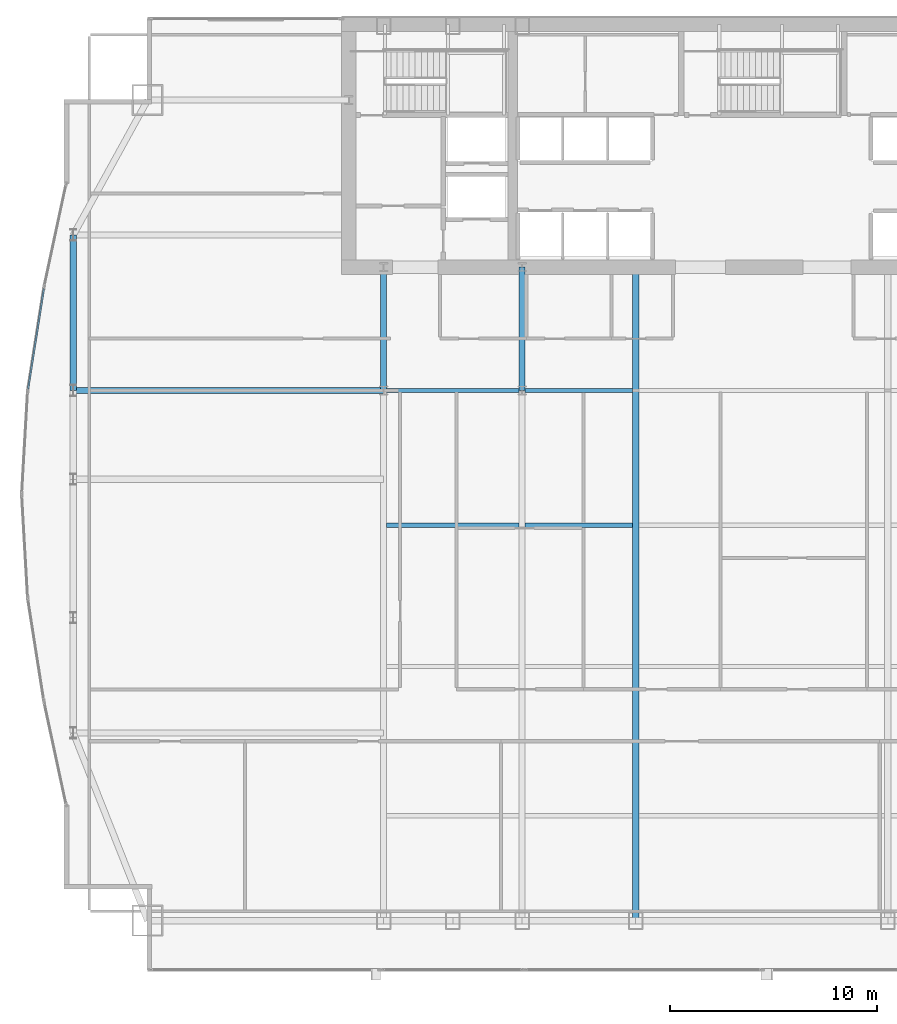
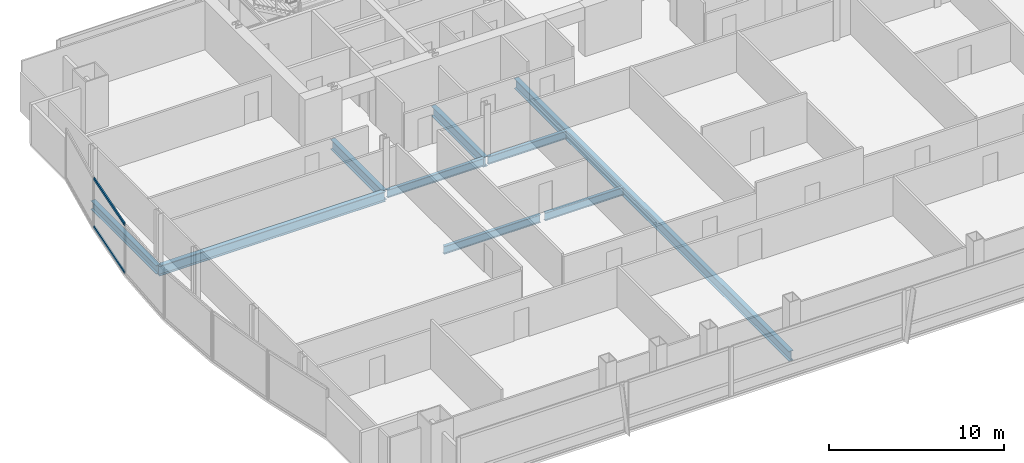
# One storey, part 12 of 32: 9 beams, 2 members, 1 element without a shape of its own.
"""IFC4 building model written with IfcOpenShell, lengths in metres."""

import ifcopenshell
import ifcopenshell.guid

model = None  # the IFC model being written
_history = None  # IfcOwnerHistory: only IFC2X3 demands one
_inside = {}  # id of a spatial element -> (the spatial element, [elements in it])
_under = {}  # id of a project, library or spatial element -> (it, [spatial elements below it])
_declared = {}  # id of a project -> (the project, [libraries it declares])
_typed = {}  # id of a type object -> (the type object, [elements of that type])
_made_of = {}  # id of a material, layer set ... -> (it, [elements and type objects made of it])


def new_model(schema):
    """Start an empty IFC model of exactly this schema.

    Asked for "IFC4X3", IfcOpenShell would pick the latest addendum, in which some entities
    have other attributes; the version numbers below select the first issue.
    IFC2X3 requires an IfcOwnerHistory on every rooted entity: one is made here for all.
    """
    global model, _history
    if schema == "IFC4X3":
        model = ifcopenshell.file(schema_version=(4, 3, 0, 0))
    else:
        model = ifcopenshell.file(schema=schema)
    _inside.clear()
    _under.clear()
    _declared.clear()
    _typed.clear()
    _made_of.clear()
    _history = None
    if model.schema == "IFC2X3":
        org = make("IfcOrganization", Name="unknown")
        user = make(
            "IfcPersonAndOrganization",
            ThePerson=make("IfcPerson", FamilyName="unknown"),
            TheOrganization=org,
        )
        app = make(
            "IfcApplication",
            ApplicationDeveloper=org,
            Version="unknown",
            ApplicationFullName="unknown",
            ApplicationIdentifier="unknown",
        )
        _history = make(
            "IfcOwnerHistory",
            OwningUser=user,
            OwningApplication=app,
            ChangeAction="ADDED",
            CreationDate=0,
        )
    return model


def make(cls, **values):
    """One entity of the class cls with the attributes given. An attribute that is None is left unset."""
    return model.create_entity(
        cls, **{name: value for name, value in values.items() if value is not None}
    )


def rooted(cls, **values):
    """An entity with a GlobalId (a new one), such as an element, a storey or a relation."""
    return make(cls, GlobalId=ifcopenshell.guid.new(), OwnerHistory=_history, **values)


def si_unit(unit_type, name, prefix=None):
    """IfcSIUnit, for example si_unit("LENGTHUNIT", "METRE", prefix="MILLI")."""
    return make("IfcSIUnit", UnitType=unit_type, Prefix=prefix, Name=name)


def assignment(units):
    """IfcUnitAssignment: the units of a project."""
    return None if units is None else make("IfcUnitAssignment", Units=units)


def point(xyz):
    """IfcCartesianPoint."""
    return None if xyz is None else make("IfcCartesianPoint", Coordinates=xyz)


def direction(xyz):
    """IfcDirection."""
    return None if xyz is None else make("IfcDirection", DirectionRatios=xyz)


def frame(location, z_axis=None, x_axis=None):
    """IfcAxis2Placement3D, a coordinate frame: its origin and axes. An axis left out is left unset."""
    return make(
        "IfcAxis2Placement3D",
        Location=point(location),
        Axis=direction(z_axis),
        RefDirection=direction(x_axis),
    )


def frame_2d(location, x_axis=None):
    """IfcAxis2Placement2D, a coordinate frame in the plane: its origin and x axis."""
    return make(
        "IfcAxis2Placement2D", Location=point(location), RefDirection=direction(x_axis)
    )


def origin():
    """The frame at (0, 0, 0) with its axes left unset."""
    return frame((0.0, 0.0, 0.0))


def origin_2d():
    """The frame at (0, 0) in the plane with its x axis left unset."""
    return frame_2d((0.0, 0.0))


def place(relative_to, where):
    """IfcLocalPlacement: puts the frame where relative to a parent placement (None: the world)."""
    return make(
        "IfcLocalPlacement", PlacementRelTo=relative_to, RelativePlacement=where
    )


def context(
    kind, dimensions, precision=None, world=None, true_north=None, identifier=None
):
    """IfcGeometricRepresentationContext, for example the 3D "Model" context."""
    return make(
        "IfcGeometricRepresentationContext",
        ContextIdentifier=identifier,
        ContextType=kind,
        CoordinateSpaceDimension=dimensions,
        Precision=precision,
        WorldCoordinateSystem=world,
        TrueNorth=true_north,
    )


def subcontext(parent, identifier, kind, view, scale=None):
    """IfcGeometricRepresentationSubContext, for example "Body" below "Model"."""
    return make(
        "IfcGeometricRepresentationSubContext",
        ContextIdentifier=identifier,
        ContextType=kind,
        ParentContext=parent,
        TargetScale=scale,
        TargetView=view,
    )


def project(units=None, contexts=None):
    """IfcProject with its units and contexts."""
    return rooted(
        "IfcProject",
        Name="project",
        RepresentationContexts=contexts,
        UnitsInContext=assignment(units),
    )


def spatial(cls, under=None, at=None, **own):
    """A site, building, storey or space (cls), placed at a placement, below another one or the project."""
    s = rooted(cls, ObjectPlacement=at, **own)
    if under is not None:
        _under.setdefault(under.id(), (under, []))[1].append(s)
    return s


def profile(cls, at=None, kind="AREA", **sizes):
    """A parametric profile (cls). Its sizes go by their IFC names, for example OverallWidth=200.0."""
    return make(cls, ProfileType=kind, Position=at, **sizes)


def hollow_rectangle(**sizes):
    """IfcRectangleHollowProfileDef."""
    return profile("IfcRectangleHollowProfileDef", **sizes)


def i_section(**sizes):
    """IfcIShapeProfileDef."""
    return profile("IfcIShapeProfileDef", **sizes)


def extrude(swept, where, along, depth):
    """IfcExtrudedAreaSolid: the profile swept, set in the frame where, extruded along a direction by depth."""
    return make(
        "IfcExtrudedAreaSolid",
        SweptArea=swept,
        Position=where,
        ExtrudedDirection=direction(along),
        Depth=depth,
    )


def shape(context_of_items, identifier, shape_type, items):
    """IfcShapeRepresentation: the items that make up one representation, for example the "Body"."""
    return make(
        "IfcShapeRepresentation",
        ContextOfItems=context_of_items,
        RepresentationIdentifier=identifier,
        RepresentationType=shape_type,
        Items=items,
    )


def material(Name=None, Category=None):
    """IfcMaterial."""
    return make("IfcMaterial", Name=Name, Category=Category)


def material_profile(
    of_material, cross_section, Name=None, Category=None, Priority=None
):
    """IfcMaterialProfile: a cross section and its material."""
    return make(
        "IfcMaterialProfile",
        Name=Name,
        Material=of_material,
        Profile=cross_section,
        Priority=Priority,
        Category=Category,
    )


def profile_set(profiles, Name=None, composite=None):
    """IfcMaterialProfileSet."""
    return make(
        "IfcMaterialProfileSet",
        Name=Name,
        MaterialProfiles=profiles,
        CompositeProfile=composite,
    )


def made_of(thing, what):
    """Note that an element or type object is made of a material, layer set ...; save() writes the relation."""
    if what is not None:
        _made_of.setdefault(what.id(), (what, []))[1].append(thing)
    return thing


def type_object(cls, material=None, **own):
    """A type object (cls), such as IfcWallType, which elements share."""
    return made_of(rooted(cls, **own), material)


def element(
    cls,
    number,
    at=None,
    inside=None,
    cuts=None,
    type_object=None,
    material=None,
    context=None,
    identifier="Body",
    shape_type=None,
    held_by="IfcProductDefinitionShape",
    body=None,
    shapes=None,
    **own,
):
    """One element of the class cls, such as IfcWall. Its Tag is "e" and its number.

    at: its placement. inside: the storey or other place that contains it. cuts: it is an
    opening in that element (IfcRelVoidsElement). A single representation is given by context,
    identifier, shape_type and body (its items); several are given by shapes. held_by: the class
    of the entity that holds the representations. save() writes the other relations.
    """
    e = rooted(cls, Tag="e%d" % number, ObjectPlacement=at, **own)
    if body is not None:
        shapes = [shape(context, identifier, shape_type, body)]
    if shapes is not None:
        e.Representation = make(held_by, Representations=shapes)
    if inside is not None:
        _inside.setdefault(inside.id(), (inside, []))[1].append(e)
    if cuts is not None:
        rooted(
            "IfcRelVoidsElement", RelatingBuildingElement=cuts, RelatedOpeningElement=e
        )
    if type_object is not None:
        _typed.setdefault(type_object.id(), (type_object, []))[1].append(e)
    return made_of(e, material)


def aggregate(whole, parts):
    """IfcRelAggregates: a whole, such as a stair, and the parts it consists of."""
    return rooted("IfcRelAggregates", RelatingObject=whole, RelatedObjects=parts)


def save(model, path):
    """Write the relations noted so far, then the file.

    IfcRelAggregates (storeys below a building ...), IfcRelContainedInSpatialStructure (elements
    in a storey), IfcRelDefinesByType, IfcRelAssociatesMaterial and IfcRelDeclares: one each for
    every whole, place, type object, material and project.
    """
    for whole, parts in _under.values():
        aggregate(whole, parts)
    for where, things in _inside.values():
        rooted(
            "IfcRelContainedInSpatialStructure",
            RelatedElements=things,
            RelatingStructure=where,
        )
    for kind, things in _typed.values():
        rooted("IfcRelDefinesByType", RelatedObjects=things, RelatingType=kind)
    for what, things in _made_of.values():
        rooted("IfcRelAssociatesMaterial", RelatedObjects=things, RelatingMaterial=what)
    for by, libraries in _declared.values():
        rooted("IfcRelDeclares", RelatingContext=by, RelatedDefinitions=libraries)
    model.write(path)


model = new_model("IFC4")

# Units and contexts
model_context = context("Model", 3, precision=1e-05, world=origin(), true_north=direction((0.0, 1.0)))
body_context = subcontext(model_context, "Body", "Model", "MODEL_VIEW")
ifc_project = project(units=[si_unit("LENGTHUNIT", "METRE"), si_unit("AREAUNIT", "SQUARE_METRE"), si_unit("VOLUMEUNIT", "CUBIC_METRE"), si_unit("PLANEANGLEUNIT", "RADIAN"), si_unit("MASSUNIT", "GRAM", prefix="KILO")], contexts=[model_context])

# Site, building, storey
site_placement = place(None, origin())
site = spatial("IfcSite", under=ifc_project, at=site_placement, CompositionType="ELEMENT")
building_placement = place(site_placement, origin())
building = spatial("IfcBuilding", under=site, at=building_placement, Name="Khoronbel Lancet Exchange", CompositionType="ELEMENT")
storey_placement = place(building_placement, frame((0.0, 0.0, 111.0)))
storey = spatial("IfcBuildingStorey", under=building, at=storey_placement, Name="L26", CompositionType="ELEMENT", Elevation=111.0)

# Beams
ifc_material_1 = material(Name="Steel S355", Category="steel")
ifc_material_profile_1 = material_profile(ifc_material_1, i_section(OverallWidth=0.300048828125, OverallDepth=0.699951171875, WebThickness=0.01708984375, FlangeThickness=0.031982421875, at=origin_2d()), Name="HEB 700")
ifc_profile_set_1 = profile_set([ifc_material_profile_1], Name="Steel S355")
beam_type_1 = type_object("IfcBeamType", Name="BM-BG3", PredefinedType="BEAM", material=ifc_profile_set_1)
for number, where, z_axis, x_axis, name in (
    (1, (18.22509765625, 35.699951171875, -0.510009765625), (0.0, 1.0, 0.0), (-1.0, 0.0, 0.0), "Level L26 spine tie girder GN1"),
    (2, (24.89990234375, 35.699951171875, -0.510009765625), (0.0, 1.0, 0.0), (-1.0, 0.0, 0.0), "Level L26 spine tie girder GN2"),
):
    element("IfcBeam", number, at=place(storey_placement, frame(where, z_axis=z_axis, x_axis=x_axis)), inside=storey, type_object=beam_type_1, Name=name, PredefinedType="BEAM", context=body_context, shape_type="SweptSolid", body=[
        extrude(i_section(OverallWidth=0.300048828125, OverallDepth=0.699951171875, WebThickness=0.01708984375, FlangeThickness=0.031982421875, at=origin_2d()), origin(), (0.0, 0.0, 1.0), 5.949951171875),
    ])
beam_1_placement = place(storey_placement, frame((30.375, 10.14990234375, -0.510009765625), z_axis=(0.0, 1.0, 0.0), x_axis=(-1.0, 0.0, 0.0)))
element("IfcBeam", 3, at=beam_1_placement, inside=storey, type_object=beam_type_1, Name="Level L26 primary floor girder G3", PredefinedType="BEAM", context=body_context, shape_type="SweptSolid", body=[
    extrude(i_section(OverallWidth=0.300048828125, OverallDepth=0.699951171875, WebThickness=0.01708984375, FlangeThickness=0.031982421875, at=origin_2d()), origin(), (0.0, 0.0, 1.0), 31.5),
])
beam_2_placement = place(storey_placement, frame((3.27001953125, 35.699951171875, -0.510009765625), z_axis=(1.0, 0.0, 0.0), x_axis=(0.0, 1.0, 0.0)))
element("IfcBeam", 4, at=beam_2_placement, inside=storey, type_object=beam_type_1, Name="Level L26 west lens tie girder LG4W", PredefinedType="BEAM", context=body_context, shape_type="SweptSolid", body=[
    extrude(i_section(OverallWidth=0.300048828125, OverallDepth=0.699951171875, WebThickness=0.01708984375, FlangeThickness=0.031982421875, at=origin_2d()), origin(), (0.0, 0.0, 1.0), 14.955078125),
])
ifc_material_profile_2 = material_profile(ifc_material_1, i_section(OverallWidth=0.2099609375, OverallDepth=0.550048828125, WebThickness=0.010986328125, FlangeThickness=0.01708984375, at=origin_2d()), Name="IPE 550")
ifc_profile_set_2 = profile_set([ifc_material_profile_2], Name="Steel S355")
beam_type_2 = type_object("IfcBeamType", Name="BM-BJ2", PredefinedType="JOIST", material=ifc_profile_set_2)
beam_3_placement = place(storey_placement, frame((18.375, 29.199951171875, -0.43505859375), z_axis=(1.0, 0.0, 0.0), x_axis=(0.0, 1.0, 0.0)))
element("IfcBeam", 5, at=beam_3_placement, inside=storey, type_object=beam_type_2, Name="Level L26 secondary composite joist J11", PredefinedType="JOIST", context=body_context, shape_type="SweptSolid", body=[
    extrude(i_section(OverallWidth=0.2099609375, OverallDepth=0.550048828125, WebThickness=0.010986328125, FlangeThickness=0.01708984375, at=origin_2d()), origin(), (0.0, 0.0, 1.0), 6.375),
])
beam_4_placement = place(storey_placement, frame((25.050048828125, 29.199951171875, -0.43505859375), z_axis=(1.0, 0.0, 0.0), x_axis=(0.0, 1.0, 0.0)))
element("IfcBeam", 6, at=beam_4_placement, inside=storey, type_object=beam_type_2, Name="Level L26 secondary composite joist J12", PredefinedType="JOIST", context=body_context, shape_type="SweptSolid", body=[
    extrude(i_section(OverallWidth=0.2099609375, OverallDepth=0.550048828125, WebThickness=0.010986328125, FlangeThickness=0.01708984375, at=origin_2d()), origin(), (0.0, 0.0, 1.0), 5.175048828125),
])
beam_5_placement = place(storey_placement, frame((18.375, 35.699951171875, -0.43505859375), z_axis=(1.0, 0.0, 0.0), x_axis=(0.0, 1.0, 0.0)))
element("IfcBeam", 7, at=beam_5_placement, inside=storey, type_object=beam_type_2, Name="Level L26 secondary composite joist J16", PredefinedType="JOIST", context=body_context, shape_type="SweptSolid", body=[
    extrude(i_section(OverallWidth=0.2099609375, OverallDepth=0.550048828125, WebThickness=0.010986328125, FlangeThickness=0.01708984375, at=origin_2d()), origin(), (0.0, 0.0, 1.0), 6.375),
])
beam_6_placement = place(storey_placement, frame((25.050048828125, 35.699951171875, -0.43505859375), z_axis=(1.0, 0.0, 0.0), x_axis=(0.0, 1.0, 0.0)))
element("IfcBeam", 8, at=beam_6_placement, inside=storey, type_object=beam_type_2, Name="Level L26 secondary composite joist J17", PredefinedType="JOIST", context=body_context, shape_type="SweptSolid", body=[
    extrude(i_section(OverallWidth=0.2099609375, OverallDepth=0.550048828125, WebThickness=0.010986328125, FlangeThickness=0.01708984375, at=origin_2d()), origin(), (0.0, 0.0, 1.0), 5.175048828125),
])
ifc_material_profile_3 = material_profile(ifc_material_1, i_section(OverallWidth=0.300048828125, OverallDepth=0.60009765625, WebThickness=0.015380859375, FlangeThickness=0.030029296875, at=origin_2d()), Name="HEB 600")
ifc_profile_set_3 = profile_set([ifc_material_profile_3], Name="Steel S355")
beam_type_3 = type_object("IfcBeamType", Name="BM-BSP2", PredefinedType="SPANDREL", material=ifc_profile_set_3)
beam_7_placement = place(storey_placement, frame((3.27001953125, 43.199951171875, -0.4599609375), z_axis=(0.0, -1.0, 0.0), x_axis=(1.0, 0.0, 0.0)))
element("IfcBeam", 9, at=beam_7_placement, inside=storey, type_object=beam_type_3, Name="Level L26 perimeter spandrel beam SP17", PredefinedType="SPANDREL", context=body_context, shape_type="SweptSolid", body=[
    extrude(i_section(OverallWidth=0.300048828125, OverallDepth=0.60009765625, WebThickness=0.015380859375, FlangeThickness=0.030029296875, at=origin_2d()), origin(), (0.0, 0.0, 1.0), 7.5),
])

# Curtain wall, members
ifc_material_2 = material(Name="Low-E Solar Control Insulating Glass", Category="glass")
curtain_wall_type = type_object("IfcCurtainWallType", Name="CW-4", PredefinedType="NOTDEFINED", material=ifc_material_2)
curtain_wall_placement = place(storey_placement, origin())
curtain_wall = element("IfcCurtainWall", 10, at=curtain_wall_placement, inside=storey, type_object=curtain_wall_type, Name="Unitised curtain wall CW-L26-E08", PredefinedType="NOTDEFINED")
ifc_material_3 = material(Name="Bronze-Anodised Aluminium 6063-T6", Category="aluminium")
ifc_material_profile_4 = material_profile(ifc_material_3, hollow_rectangle(XDim=0.0849609375, YDim=0.179931640625, WallThickness=0.0048828125, at=origin_2d()), Name="ALU TRANSOM 85x180")
ifc_profile_set_4 = profile_set([ifc_material_profile_4], Name="Bronze-Anodised Aluminium 6063-T6")
member_type = type_object("IfcMemberType", Name="MEM-CWT1", PredefinedType="USERDEFINED", material=ifc_profile_set_4)
member_1_placement = place(storey_placement, frame((1.08935546875, 35.764404296875, 0.04248046875), z_axis=(0.155456432672, 0.987842749399, 0.0), x_axis=(-0.987842749399, 0.155456432672, 0.0)))
member_1 = element("IfcMember", 11, at=member_1_placement, type_object=member_type, Name="CW4 transom 1.1", ObjectType="TRANSOM", PredefinedType="USERDEFINED", context=body_context, shape_type="SweptSolid", body=[
    extrude(hollow_rectangle(XDim=0.0849609375, YDim=0.179931640625, WallThickness=0.0048828125, at=origin_2d()), origin(), (0.0, 0.0, 1.0), 4.904541015625),
])
member_2_placement = place(storey_placement, frame((1.08935546875, 35.764404296875, 3.3974609375), z_axis=(0.155456432672, 0.987842749399, 0.0), x_axis=(-0.987842749399, 0.155456432672, 0.0)))
member_2 = element("IfcMember", 12, at=member_2_placement, type_object=member_type, Name="CW4 transom 1.2", ObjectType="TRANSOM", PredefinedType="USERDEFINED", context=body_context, shape_type="SweptSolid", body=[
    extrude(hollow_rectangle(XDim=0.0849609375, YDim=0.179931640625, WallThickness=0.0048828125, at=origin_2d()), origin(), (0.0, 0.0, 1.0), 4.904541015625),
])
aggregate(curtain_wall, [member_1, member_2])

save(model, "model.ifc")
